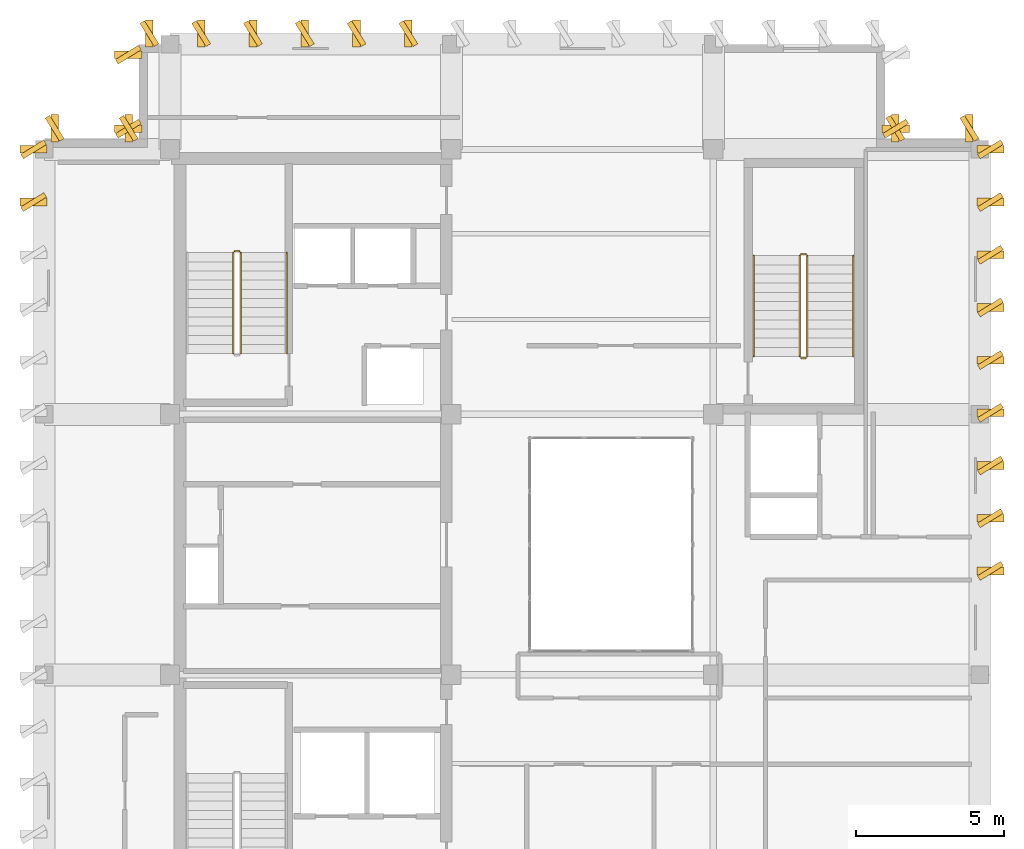
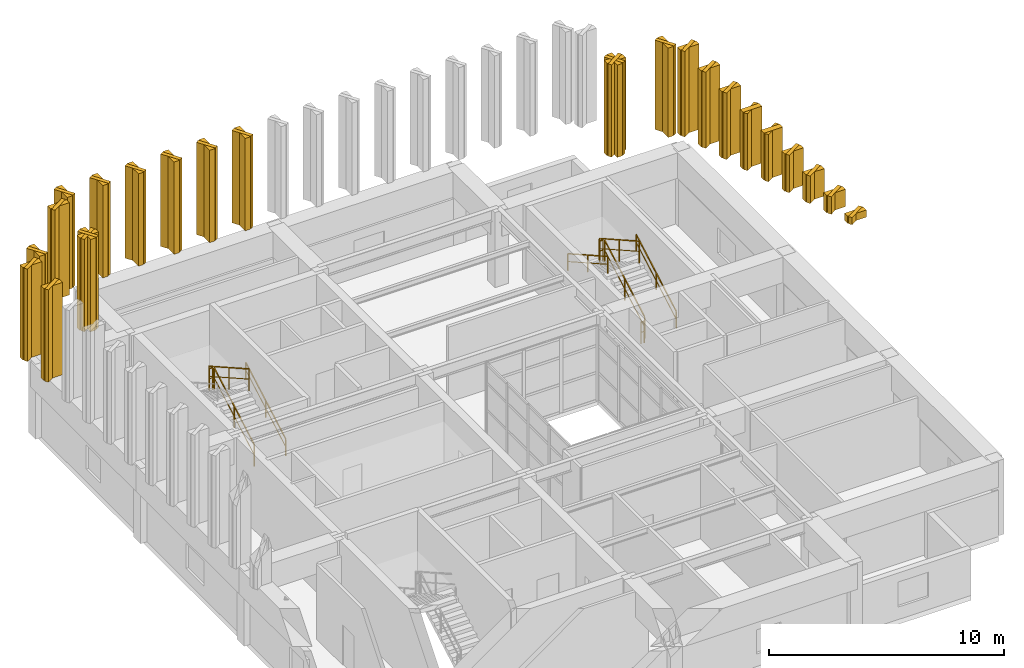
# One storey, part 10 of 11: 24 coverings, 24 shading devices, 10 railings.
"""IFC4 building model written with IfcOpenShell, lengths in metres."""

from ifc_helpers import new_model, si_unit, direction, frame, origin, origin_2d, place, context, subcontext, project, spatial, polyline, rectangle, outline, extrude, material, layer, layer_set, type_object, element, save


model = new_model("IFC4")

# Units and contexts
model_context = context("Model", 3, precision=1e-05, world=origin(), true_north=direction((0.0, 1.0)))
body_context = subcontext(model_context, "Body", "Model", "MODEL_VIEW")
ifc_project = project(units=[si_unit("LENGTHUNIT", "METRE"), si_unit("AREAUNIT", "SQUARE_METRE"), si_unit("VOLUMEUNIT", "CUBIC_METRE"), si_unit("PLANEANGLEUNIT", "RADIAN"), si_unit("MASSUNIT", "GRAM", prefix="KILO")], contexts=[model_context])

# Site, building, storey
site_placement = place(None, origin())
site = spatial("IfcSite", under=ifc_project, at=site_placement, CompositionType="ELEMENT")
building_placement = place(site_placement, origin())
building = spatial("IfcBuilding", under=site, at=building_placement, Name="Kundavana Baori Tower", CompositionType="ELEMENT")
storey_placement = place(building_placement, frame((0.0, 0.0, 350.5)))
storey = spatial("IfcBuildingStorey", under=building, at=storey_placement, Name="L87", CompositionType="ELEMENT", Elevation=350.5)

# Coverings
ifc_material_1 = material(Name="Cream-White Makrana Limestone on Concrete C40/50", Category="masonry")
ifc_layer = layer(ifc_material_1, 0.239990234375, Name="COV-SAIL-FIN")
ifc_layer_set = layer_set([ifc_layer], Name="Cream-White Makrana Limestone on Concrete C40/50")
covering_type = type_object("IfcCoveringType", Name="COV-SAIL-FIN", PredefinedType="CLADDING", material=ifc_layer_set)
covering_1_placement = place(storey_placement, frame((0.0, 0.0, 8.626708984375)))
element("IfcCovering", 1, at=covering_1_placement, inside=storey, type_object=covering_type, Name="L87 Climbing Makrana White Limestone Sail Fin 027", PredefinedType="CLADDING", context=body_context, shape_type="SweptSolid", body=[
    extrude(outline(polyline([(42.699951171875, 27.580078125), (43.6201171875, 27.580078125), (43.6201171875, 27.840087890625), (42.699951171875, 27.840087890625), (42.699951171875, 27.580078125)])), origin(), (0.0, 0.0, 1.0), 0.373291015625),
])
covering_2_placement = place(storey_placement, frame((0.0, 0.0, 8.094970703125)))
element("IfcCovering", 2, at=covering_2_placement, inside=storey, type_object=covering_type, Name="L87 Climbing Makrana White Limestone Sail Fin 028", PredefinedType="CLADDING", context=body_context, shape_type="SweptSolid", body=[
    extrude(outline(polyline([(42.699951171875, 29.360107421875), (43.6201171875, 29.360107421875), (43.6201171875, 29.6201171875), (42.699951171875, 29.6201171875), (42.699951171875, 29.360107421875)])), origin(), (0.0, 0.0, 1.0), 0.905029296875),
])
covering_3_placement = place(storey_placement, frame((0.0, 0.0, 7.57080078125)))
element("IfcCovering", 3, at=covering_3_placement, inside=storey, type_object=covering_type, Name="L87 Climbing Makrana White Limestone Sail Fin 029", PredefinedType="CLADDING", context=body_context, shape_type="SweptSolid", body=[
    extrude(outline(polyline([(42.699951171875, 31.139892578125), (43.6201171875, 31.139892578125), (43.6201171875, 31.39990234375), (42.699951171875, 31.39990234375), (42.699951171875, 31.139892578125)])), origin(), (0.0, 0.0, 1.0), 1.42919921875),
])
covering_4_placement = place(storey_placement, frame((0.0, 0.0, 7.05419921875)))
element("IfcCovering", 4, at=covering_4_placement, inside=storey, type_object=covering_type, Name="L87 Climbing Makrana White Limestone Sail Fin 030", PredefinedType="CLADDING", context=body_context, shape_type="SweptSolid", body=[
    extrude(outline(polyline([(42.699951171875, 32.919921875), (43.6201171875, 32.919921875), (43.6201171875, 33.179931640625), (42.699951171875, 33.179931640625), (42.699951171875, 32.919921875)])), origin(), (0.0, 0.0, 1.0), 1.94580078125),
])
covering_5_placement = place(storey_placement, frame((0.0, 0.0, 6.543701171875)))
element("IfcCovering", 5, at=covering_5_placement, inside=storey, type_object=covering_type, Name="L87 Climbing Makrana White Limestone Sail Fin 031", PredefinedType="CLADDING", context=body_context, shape_type="SweptSolid", body=[
    extrude(outline(polyline([(42.699951171875, 34.699951171875), (43.6201171875, 34.699951171875), (43.6201171875, 34.9599609375), (42.699951171875, 34.9599609375), (42.699951171875, 34.699951171875)])), origin(), (0.0, 0.0, 1.0), 2.456298828125),
])
covering_6_placement = place(storey_placement, frame((0.0, 0.0, 6.039306640625)))
element("IfcCovering", 6, at=covering_6_placement, inside=storey, type_object=covering_type, Name="L87 Climbing Makrana White Limestone Sail Fin 032", PredefinedType="CLADDING", context=body_context, shape_type="SweptSolid", body=[
    extrude(outline(polyline([(42.699951171875, 36.47998046875), (43.6201171875, 36.47998046875), (43.6201171875, 36.739990234375), (42.699951171875, 36.739990234375), (42.699951171875, 36.47998046875)])), origin(), (0.0, 0.0, 1.0), 2.960693359375),
])
covering_7_placement = place(storey_placement, frame((0.0, 0.0, 5.5400390625)))
element("IfcCovering", 7, at=covering_7_placement, inside=storey, type_object=covering_type, Name="L87 Climbing Makrana White Limestone Sail Fin 033", PredefinedType="CLADDING", context=body_context, shape_type="SweptSolid", body=[
    extrude(outline(polyline([(42.699951171875, 38.260009765625), (43.6201171875, 38.260009765625), (43.6201171875, 38.52001953125), (42.699951171875, 38.52001953125), (42.699951171875, 38.260009765625)])), origin(), (0.0, 0.0, 1.0), 3.4599609375),
])
covering_8_placement = place(storey_placement, frame((0.0, 0.0, 5.0458984375)))
element("IfcCovering", 8, at=covering_8_placement, inside=storey, type_object=covering_type, Name="L87 Climbing Makrana White Limestone Sail Fin 034", PredefinedType="CLADDING", context=body_context, shape_type="SweptSolid", body=[
    extrude(outline(polyline([(42.699951171875, 40.0400390625), (43.6201171875, 40.0400390625), (43.6201171875, 40.300048828125), (42.699951171875, 40.300048828125), (42.699951171875, 40.0400390625)])), origin(), (0.0, 0.0, 1.0), 3.9541015625),
])
covering_9_placement = place(storey_placement, frame((0.0, 0.0, 4.556396484375)))
element("IfcCovering", 9, at=covering_9_placement, inside=storey, type_object=covering_type, Name="L87 Climbing Makrana White Limestone Sail Fin 035", PredefinedType="CLADDING", context=body_context, shape_type="SweptSolid", body=[
    extrude(outline(polyline([(42.699951171875, 41.820068359375), (43.6201171875, 41.820068359375), (43.6201171875, 42.080078125), (42.699951171875, 42.080078125), (42.699951171875, 41.820068359375)])), origin(), (0.0, 0.0, 1.0), 4.443603515625),
])
covering_10_placement = place(storey_placement, frame((0.0, 0.0, 4.3583984375)))
element("IfcCovering", 10, at=covering_10_placement, inside=storey, type_object=covering_type, Name="L87 Climbing Makrana White Limestone Sail Fin 036", PredefinedType="CLADDING", context=body_context, shape_type="SweptSolid", body=[
    extrude(outline(polyline([(42.320068359375, 42.199951171875), (42.580078125, 42.199951171875), (42.580078125, 43.1201171875), (42.320068359375, 43.1201171875), (42.320068359375, 42.199951171875)])), origin(), (0.0, 0.0, 1.0), 4.6416015625),
])
covering_11_placement = place(storey_placement, frame((0.0, 0.0, 4.199951171875)))
element("IfcCovering", 11, at=covering_11_placement, inside=storey, type_object=covering_type, Name="L87 Climbing Makrana White Limestone Sail Fin 037", PredefinedType="CLADDING", context=body_context, shape_type="SweptSolid", body=[
    extrude(outline(polyline([(39.820068359375, 42.199951171875), (40.080078125, 42.199951171875), (40.080078125, 43.1201171875), (39.820068359375, 43.1201171875), (39.820068359375, 42.199951171875)])), origin(), (0.0, 0.0, 1.0), 4.800048828125),
])
covering_12_placement = place(storey_placement, frame((0.0, 0.0, 4.199951171875)))
element("IfcCovering", 12, at=covering_12_placement, inside=storey, type_object=covering_type, Name="L87 Climbing Makrana White Limestone Sail Fin 038", PredefinedType="CLADDING", context=body_context, shape_type="SweptSolid", body=[
    extrude(outline(polyline([(39.5, 42.52001953125), (40.419921875, 42.52001953125), (40.419921875, 42.780029296875), (39.5, 42.780029296875), (39.5, 42.52001953125)])), origin(), (0.0, 0.0, 1.0), 4.800048828125),
])
covering_13_placement = place(storey_placement, frame((0.0, 0.0, 4.199951171875)))
element("IfcCovering", 13, at=covering_13_placement, inside=storey, type_object=covering_type, Name="L87 Climbing Makrana White Limestone Sail Fin 049", PredefinedType="CLADDING", context=body_context, shape_type="SweptSolid", body=[
    extrude(outline(polyline([(23.3701171875, 45.39990234375), (23.6298828125, 45.39990234375), (23.6298828125, 46.320068359375), (23.3701171875, 46.320068359375), (23.3701171875, 45.39990234375)])), origin(), (0.0, 0.0, 1.0), 4.800048828125),
])
covering_14_placement = place(storey_placement, frame((0.0, 0.0, 4.199951171875)))
element("IfcCovering", 14, at=covering_14_placement, inside=storey, type_object=covering_type, Name="L87 Climbing Makrana White Limestone Sail Fin 050", PredefinedType="CLADDING", context=body_context, shape_type="SweptSolid", body=[
    extrude(outline(polyline([(21.6201171875, 45.39990234375), (21.8798828125, 45.39990234375), (21.8798828125, 46.320068359375), (21.6201171875, 46.320068359375), (21.6201171875, 45.39990234375)])), origin(), (0.0, 0.0, 1.0), 4.800048828125),
])
covering_15_placement = place(storey_placement, frame((0.0, 0.0, 4.199951171875)))
element("IfcCovering", 15, at=covering_15_placement, inside=storey, type_object=covering_type, Name="L87 Climbing Makrana White Limestone Sail Fin 051", PredefinedType="CLADDING", context=body_context, shape_type="SweptSolid", body=[
    extrude(outline(polyline([(19.8701171875, 45.39990234375), (20.1298828125, 45.39990234375), (20.1298828125, 46.320068359375), (19.8701171875, 46.320068359375), (19.8701171875, 45.39990234375)])), origin(), (0.0, 0.0, 1.0), 4.800048828125),
])
covering_16_placement = place(storey_placement, frame((0.0, 0.0, 4.199951171875)))
element("IfcCovering", 16, at=covering_16_placement, inside=storey, type_object=covering_type, Name="L87 Climbing Makrana White Limestone Sail Fin 052", PredefinedType="CLADDING", context=body_context, shape_type="SweptSolid", body=[
    extrude(outline(polyline([(18.1201171875, 45.39990234375), (18.3798828125, 45.39990234375), (18.3798828125, 46.320068359375), (18.1201171875, 46.320068359375), (18.1201171875, 45.39990234375)])), origin(), (0.0, 0.0, 1.0), 4.800048828125),
])
covering_17_placement = place(storey_placement, frame((0.0, 0.0, 4.199951171875)))
element("IfcCovering", 17, at=covering_17_placement, inside=storey, type_object=covering_type, Name="L87 Climbing Makrana White Limestone Sail Fin 053", PredefinedType="CLADDING", context=body_context, shape_type="SweptSolid", body=[
    extrude(outline(polyline([(16.3701171875, 45.39990234375), (16.6298828125, 45.39990234375), (16.6298828125, 46.320068359375), (16.3701171875, 46.320068359375), (16.3701171875, 45.39990234375)])), origin(), (0.0, 0.0, 1.0), 4.800048828125),
])
covering_18_placement = place(storey_placement, frame((0.0, 0.0, 4.199951171875)))
element("IfcCovering", 18, at=covering_18_placement, inside=storey, type_object=covering_type, Name="L87 Climbing Makrana White Limestone Sail Fin 054", PredefinedType="CLADDING", context=body_context, shape_type="SweptSolid", body=[
    extrude(outline(polyline([(14.6201171875, 45.39990234375), (14.8798828125, 45.39990234375), (14.8798828125, 46.320068359375), (14.6201171875, 46.320068359375), (14.6201171875, 45.39990234375)])), origin(), (0.0, 0.0, 1.0), 4.800048828125),
])
covering_19_placement = place(storey_placement, frame((0.0, 0.0, 4.199951171875)))
element("IfcCovering", 19, at=covering_19_placement, inside=storey, type_object=covering_type, Name="L87 Climbing Makrana White Limestone Sail Fin 055", PredefinedType="CLADDING", context=body_context, shape_type="SweptSolid", body=[
    extrude(outline(polyline([(13.580078125, 45.02001953125), (14.5, 45.02001953125), (14.5, 45.280029296875), (13.580078125, 45.280029296875), (13.580078125, 45.02001953125)])), origin(), (0.0, 0.0, 1.0), 4.800048828125),
])
covering_20_placement = place(storey_placement, frame((0.0, 0.0, 4.199951171875)))
element("IfcCovering", 20, at=covering_20_placement, inside=storey, type_object=covering_type, Name="L87 Climbing Makrana White Limestone Sail Fin 056", PredefinedType="CLADDING", context=body_context, shape_type="SweptSolid", body=[
    extrude(outline(polyline([(13.580078125, 42.52001953125), (14.5, 42.52001953125), (14.5, 42.780029296875), (13.580078125, 42.780029296875), (13.580078125, 42.52001953125)])), origin(), (0.0, 0.0, 1.0), 4.800048828125),
])
covering_21_placement = place(storey_placement, frame((0.0, 0.0, 4.199951171875)))
element("IfcCovering", 21, at=covering_21_placement, inside=storey, type_object=covering_type, Name="L87 Climbing Makrana White Limestone Sail Fin 057", PredefinedType="CLADDING", context=body_context, shape_type="SweptSolid", body=[
    extrude(outline(polyline([(13.919921875, 42.199951171875), (14.179931640625, 42.199951171875), (14.179931640625, 43.1201171875), (13.919921875, 43.1201171875), (13.919921875, 42.199951171875)])), origin(), (0.0, 0.0, 1.0), 4.800048828125),
])
covering_22_placement = place(storey_placement, frame((0.0, 0.0, 4.199951171875)))
element("IfcCovering", 22, at=covering_22_placement, inside=storey, type_object=covering_type, Name="L87 Climbing Makrana White Limestone Sail Fin 058", PredefinedType="CLADDING", context=body_context, shape_type="SweptSolid", body=[
    extrude(outline(polyline([(11.419921875, 42.199951171875), (11.679931640625, 42.199951171875), (11.679931640625, 43.1201171875), (11.419921875, 43.1201171875), (11.419921875, 42.199951171875)])), origin(), (0.0, 0.0, 1.0), 4.800048828125),
])
covering_23_placement = place(storey_placement, frame((0.0, 0.0, 4.199951171875)))
element("IfcCovering", 23, at=covering_23_placement, inside=storey, type_object=covering_type, Name="L87 Climbing Makrana White Limestone Sail Fin 059", PredefinedType="CLADDING", context=body_context, shape_type="SweptSolid", body=[
    extrude(outline(polyline([(10.3798828125, 41.820068359375), (11.300048828125, 41.820068359375), (11.300048828125, 42.080078125), (10.3798828125, 42.080078125), (10.3798828125, 41.820068359375)])), origin(), (0.0, 0.0, 1.0), 4.800048828125),
])
covering_24_placement = place(storey_placement, frame((0.0, 0.0, 4.199951171875)))
element("IfcCovering", 24, at=covering_24_placement, inside=storey, type_object=covering_type, Name="L87 Climbing Makrana White Limestone Sail Fin 060", PredefinedType="CLADDING", context=body_context, shape_type="SweptSolid", body=[
    extrude(outline(polyline([(10.3798828125, 40.0400390625), (11.300048828125, 40.0400390625), (11.300048828125, 40.300048828125), (10.3798828125, 40.300048828125), (10.3798828125, 40.0400390625)])), origin(), (0.0, 0.0, 1.0), 4.800048828125),
])

# Railings
ifc_material_2 = material(Name="Architectural Patinated Bronze Metalwork")
railing_type_1 = type_object("IfcRailingType", Name="RL-GRD-1150", PredefinedType="GUARDRAIL", material=ifc_material_2)
railing_1_placement = place(storey_placement, frame((17.840087890625, 35.050048828125, 0.175048828125)))
element("IfcRailing", 25, at=railing_1_placement, inside=storey, type_object=railing_type_1, Name="L87 ST2 stair guard 1", PredefinedType="GUARDRAIL", context=body_context, shape_type="SweptSolid", body=[
    extrude(rectangle(XDim=0.048095703125, YDim=0.048095703125, at=origin_2d()), frame((0.0, 0.0, 1.1259765625), z_axis=(0.0, 0.87081354652, 0.491613432685), x_axis=(-1.0, 0.0, 0.0)), (0.0, 0.0, 1.0), 3.915771484375),
    extrude(rectangle(XDim=0.03125, YDim=0.03125, at=origin_2d()), frame((0.0, 0.0, 0.597900390625), z_axis=(0.0, 0.87081354652, 0.491613432685), x_axis=(-1.0, 0.0, 0.0)), (0.0, 0.0, 1.0), 3.915771484375),
    extrude(rectangle(XDim=0.0419921875, YDim=0.0419921875, at=origin_2d()), origin(), (0.0, 0.0, 1.0), 1.101806640625),
    extrude(rectangle(XDim=0.0419921875, YDim=0.0419921875, at=origin_2d()), frame((0.0, 1.705078125, 0.96240234375)), (0.0, 0.0, 1.0), 1.101806640625),
    extrude(rectangle(XDim=0.0419921875, YDim=0.0419921875, at=origin_2d()), frame((0.0, 3.409912109375, 1.925048828125)), (0.0, 0.0, 1.0), 1.101806640625),
])
railing_2_placement = place(storey_placement, frame((17.7900390625, 38.510009765625, 2.10009765625)))
element("IfcRailing", 26, at=railing_2_placement, inside=storey, type_object=railing_type_1, Name="L87 ST2 stair guard 2", PredefinedType="GUARDRAIL", context=body_context, shape_type="SweptSolid", body=[
    extrude(rectangle(XDim=0.048095703125, YDim=0.048095703125, at=origin_2d()), frame((0.0, 0.0, 1.1259765625), z_axis=(-1.0, 0.0, 0.0), x_axis=(0.0, -1.0, 0.0)), (0.0, 0.0, 1.0), 0.16015625),
    extrude(rectangle(XDim=0.03125, YDim=0.03125, at=origin_2d()), frame((0.0, 0.0, 0.597900390625), z_axis=(-1.0, 0.0, 0.0), x_axis=(0.0, -1.0, 0.0)), (0.0, 0.0, 1.0), 0.16015625),
    extrude(rectangle(XDim=0.0419921875, YDim=0.0419921875, at=origin_2d()), origin(), (0.0, 0.0, 1.0), 1.101806640625),
    extrude(rectangle(XDim=0.0419921875, YDim=0.0419921875, at=origin_2d()), frame((-0.16015625, 0.0, 0.0)), (0.0, 0.0, 1.0), 1.101806640625),
])
railing_3_placement = place(storey_placement, frame((17.580078125, 38.4599609375, 2.27490234375)))
element("IfcRailing", 27, at=railing_3_placement, inside=storey, type_object=railing_type_1, Name="L87 ST2 stair guard 3", PredefinedType="GUARDRAIL", context=body_context, shape_type="SweptSolid", body=[
    extrude(rectangle(XDim=0.048095703125, YDim=0.048095703125, at=origin_2d()), frame((0.0, 0.0, 1.1259765625), z_axis=(0.0, -0.87081354652, 0.491613432685), x_axis=(1.0, 0.0, 0.0)), (0.0, 0.0, 1.0), 3.915771484375),
    extrude(rectangle(XDim=0.03125, YDim=0.03125, at=origin_2d()), frame((0.0, 0.0, 0.597900390625), z_axis=(0.0, -0.87081354652, 0.491613432685), x_axis=(1.0, 0.0, 0.0)), (0.0, 0.0, 1.0), 3.915771484375),
    extrude(rectangle(XDim=0.0419921875, YDim=0.0419921875, at=origin_2d()), origin(), (0.0, 0.0, 1.0), 1.101806640625),
    extrude(rectangle(XDim=0.0419921875, YDim=0.0419921875, at=origin_2d()), frame((0.0, -1.705078125, 0.96240234375)), (0.0, 0.0, 1.0), 1.101806640625),
    extrude(rectangle(XDim=0.0419921875, YDim=0.0419921875, at=origin_2d()), frame((0.0, -3.409912109375, 1.925048828125)), (0.0, 0.0, 1.0), 1.101806640625),
])
railing_4_placement = place(storey_placement, frame((36.97998046875, 34.949951171875, 0.175048828125)))
element("IfcRailing", 28, at=railing_4_placement, inside=storey, type_object=railing_type_1, Name="L87 ST3 stair guard 1", PredefinedType="GUARDRAIL", context=body_context, shape_type="SweptSolid", body=[
    extrude(rectangle(XDim=0.048095703125, YDim=0.048095703125, at=origin_2d()), frame((0.0, 0.0, 1.1259765625), z_axis=(0.0, 0.870828613776, 0.491586742528), x_axis=(-1.0, 0.0, 0.0)), (0.0, 0.0, 1.0), 3.916015625),
    extrude(rectangle(XDim=0.03125, YDim=0.03125, at=origin_2d()), frame((0.0, 0.0, 0.597900390625), z_axis=(0.0, 0.870828613776, 0.491586742528), x_axis=(-1.0, 0.0, 0.0)), (0.0, 0.0, 1.0), 3.916015625),
    extrude(rectangle(XDim=0.0419921875, YDim=0.0419921875, at=origin_2d()), origin(), (0.0, 0.0, 1.0), 1.101806640625),
    extrude(rectangle(XDim=0.0419921875, YDim=0.0419921875, at=origin_2d()), frame((0.0, 1.705078125, 0.96240234375)), (0.0, 0.0, 1.0), 1.101806640625),
    extrude(rectangle(XDim=0.0419921875, YDim=0.0419921875, at=origin_2d()), frame((0.0, 3.41015625, 1.925048828125)), (0.0, 0.0, 1.0), 1.101806640625),
])
railing_5_placement = place(storey_placement, frame((36.929931640625, 38.409912109375, 2.10009765625)))
element("IfcRailing", 29, at=railing_5_placement, inside=storey, type_object=railing_type_1, Name="L87 ST3 stair guard 2", PredefinedType="GUARDRAIL", context=body_context, shape_type="SweptSolid", body=[
    extrude(rectangle(XDim=0.048095703125, YDim=0.048095703125, at=origin_2d()), frame((0.0, 0.0, 1.1259765625), z_axis=(-1.0, 0.0, 0.0), x_axis=(0.0, -1.0, 0.0)), (0.0, 0.0, 1.0), 0.159912109375),
    extrude(rectangle(XDim=0.03125, YDim=0.03125, at=origin_2d()), frame((0.0, 0.0, 0.597900390625), z_axis=(-1.0, 0.0, 0.0), x_axis=(0.0, -1.0, 0.0)), (0.0, 0.0, 1.0), 0.159912109375),
    extrude(rectangle(XDim=0.0419921875, YDim=0.0419921875, at=origin_2d()), origin(), (0.0, 0.0, 1.0), 1.101806640625),
    extrude(rectangle(XDim=0.0419921875, YDim=0.0419921875, at=origin_2d()), frame((-0.159912109375, 0.0, 0.0)), (0.0, 0.0, 1.0), 1.101806640625),
])
railing_6_placement = place(storey_placement, frame((36.719970703125, 38.360107421875, 2.27490234375)))
element("IfcRailing", 30, at=railing_6_placement, inside=storey, type_object=railing_type_1, Name="L87 ST3 stair guard 3", PredefinedType="GUARDRAIL", context=body_context, shape_type="SweptSolid", body=[
    extrude(rectangle(XDim=0.048095703125, YDim=0.048095703125, at=origin_2d()), frame((0.0, 0.0, 1.1259765625), z_axis=(0.0, -0.870828613776, 0.491586742528), x_axis=(1.0, 0.0, 0.0)), (0.0, 0.0, 1.0), 3.916015625),
    extrude(rectangle(XDim=0.03125, YDim=0.03125, at=origin_2d()), frame((0.0, 0.0, 0.597900390625), z_axis=(0.0, -0.870828613776, 0.491586742528), x_axis=(1.0, 0.0, 0.0)), (0.0, 0.0, 1.0), 3.916015625),
    extrude(rectangle(XDim=0.0419921875, YDim=0.0419921875, at=origin_2d()), origin(), (0.0, 0.0, 1.0), 1.101806640625),
    extrude(rectangle(XDim=0.0419921875, YDim=0.0419921875, at=origin_2d()), frame((0.0, -1.705078125, 0.96240234375)), (0.0, 0.0, 1.0), 1.101806640625),
    extrude(rectangle(XDim=0.0419921875, YDim=0.0419921875, at=origin_2d()), frame((0.0, -3.41015625, 1.925048828125)), (0.0, 0.0, 1.0), 1.101806640625),
])
railing_7_placement = place(storey_placement, frame((36.929931640625, 34.89990234375, 0.0)))
element("IfcRailing", 31, at=railing_7_placement, inside=storey, type_object=railing_type_1, Name="L87 ST3 stair guard 4", PredefinedType="GUARDRAIL", context=body_context, shape_type="SweptSolid", body=[
    extrude(rectangle(XDim=0.048095703125, YDim=0.048095703125, at=origin_2d()), frame((0.0, 0.0, 1.1259765625), z_axis=(-1.0, 0.0, 0.0), x_axis=(0.0, -1.0, 0.0)), (0.0, 0.0, 1.0), 0.159912109375),
    extrude(rectangle(XDim=0.03125, YDim=0.03125, at=origin_2d()), frame((0.0, 0.0, 0.597900390625), z_axis=(-1.0, 0.0, 0.0), x_axis=(0.0, -1.0, 0.0)), (0.0, 0.0, 1.0), 0.159912109375),
    extrude(rectangle(XDim=0.0419921875, YDim=0.0419921875, at=origin_2d()), origin(), (0.0, 0.0, 1.0), 1.101806640625),
    extrude(rectangle(XDim=0.0419921875, YDim=0.0419921875, at=origin_2d()), frame((-0.159912109375, 0.0, 0.0)), (0.0, 0.0, 1.0), 1.101806640625),
])
ifc_material_3 = material(Name="Architectural Patinated Bronze Metalwork")
railing_type_2 = type_object("IfcRailingType", Name="RL-HND-920", PredefinedType="HANDRAIL", material=ifc_material_3)
railing_8_placement = place(storey_placement, frame((19.389892578125, 35.050048828125, 0.175048828125)))
element("IfcRailing", 32, at=railing_8_placement, inside=storey, type_object=railing_type_2, Name="L87 ST2 stair handrail 1", PredefinedType="HANDRAIL", context=body_context, shape_type="SweptSolid", body=[
    extrude(rectangle(XDim=0.048095703125, YDim=0.048095703125, at=origin_2d()), frame((0.0, 0.0, 0.8759765625), z_axis=(0.0, 0.87081354652, 0.491613432685), x_axis=(-1.0, 0.0, 0.0)), (0.0, 0.0, 1.0), 3.915771484375),
    extrude(rectangle(XDim=0.03125, YDim=0.03125, at=origin_2d()), frame((0.0, 0.0, 0.468017578125), z_axis=(0.0, 0.87081354652, 0.491613432685), x_axis=(-1.0, 0.0, 0.0)), (0.0, 0.0, 1.0), 3.915771484375),
    extrude(rectangle(XDim=0.0419921875, YDim=0.0419921875, at=origin_2d()), origin(), (0.0, 0.0, 1.0), 0.851806640625),
    extrude(rectangle(XDim=0.0419921875, YDim=0.0419921875, at=origin_2d()), frame((0.0, 1.705078125, 0.96240234375)), (0.0, 0.0, 1.0), 0.851806640625),
    extrude(rectangle(XDim=0.0419921875, YDim=0.0419921875, at=origin_2d()), frame((0.0, 3.409912109375, 1.925048828125)), (0.0, 0.0, 1.0), 0.851806640625),
])
railing_9_placement = place(storey_placement, frame((38.530029296875, 34.949951171875, 0.175048828125)))
element("IfcRailing", 33, at=railing_9_placement, inside=storey, type_object=railing_type_2, Name="L87 ST3 stair handrail 1", PredefinedType="HANDRAIL", context=body_context, shape_type="SweptSolid", body=[
    extrude(rectangle(XDim=0.048095703125, YDim=0.048095703125, at=origin_2d()), frame((0.0, 0.0, 0.8759765625), z_axis=(0.0, 0.870828613776, 0.491586742528), x_axis=(-1.0, 0.0, 0.0)), (0.0, 0.0, 1.0), 3.916015625),
    extrude(rectangle(XDim=0.03125, YDim=0.03125, at=origin_2d()), frame((0.0, 0.0, 0.468017578125), z_axis=(0.0, 0.870828613776, 0.491586742528), x_axis=(-1.0, 0.0, 0.0)), (0.0, 0.0, 1.0), 3.916015625),
    extrude(rectangle(XDim=0.0419921875, YDim=0.0419921875, at=origin_2d()), origin(), (0.0, 0.0, 1.0), 0.851806640625),
    extrude(rectangle(XDim=0.0419921875, YDim=0.0419921875, at=origin_2d()), frame((0.0, 1.705078125, 0.96240234375)), (0.0, 0.0, 1.0), 0.851806640625),
    extrude(rectangle(XDim=0.0419921875, YDim=0.0419921875, at=origin_2d()), frame((0.0, 3.41015625, 1.925048828125)), (0.0, 0.0, 1.0), 0.851806640625),
])
railing_10_placement = place(storey_placement, frame((35.169921875, 38.360107421875, 2.27490234375)))
element("IfcRailing", 34, at=railing_10_placement, inside=storey, type_object=railing_type_2, Name="L87 ST3 stair handrail 2", PredefinedType="HANDRAIL", context=body_context, shape_type="SweptSolid", body=[
    extrude(rectangle(XDim=0.048095703125, YDim=0.048095703125, at=origin_2d()), frame((0.0, 0.0, 0.8759765625), z_axis=(0.0, -0.870828613776, 0.491586742528), x_axis=(1.0, 0.0, 0.0)), (0.0, 0.0, 1.0), 3.916015625),
    extrude(rectangle(XDim=0.03125, YDim=0.03125, at=origin_2d()), frame((0.0, 0.0, 0.468017578125), z_axis=(0.0, -0.870828613776, 0.491586742528), x_axis=(1.0, 0.0, 0.0)), (0.0, 0.0, 1.0), 3.916015625),
    extrude(rectangle(XDim=0.0419921875, YDim=0.0419921875, at=origin_2d()), origin(), (0.0, 0.0, 1.0), 0.851806640625),
    extrude(rectangle(XDim=0.0419921875, YDim=0.0419921875, at=origin_2d()), frame((0.0, -1.705078125, 0.96240234375)), (0.0, 0.0, 1.0), 0.851806640625),
    extrude(rectangle(XDim=0.0419921875, YDim=0.0419921875, at=origin_2d()), frame((0.0, -3.41015625, 1.925048828125)), (0.0, 0.0, 1.0), 0.851806640625),
])

# Shading devices
ifc_material_4 = material(Name="Red-Buff Dholpur Sandstone Cladding on Concrete C40/50", Category="masonry")
shading_device_type = type_object("IfcShadingDeviceType", Name="SHD-FIN-920", PredefinedType="JALOUSIE", material=ifc_material_4)
shading_device_1_placement = place(storey_placement, frame((43.159912109375, 27.7099609375, 8.626953125), z_axis=(0.0, 0.0, 1.0), x_axis=(-0.529919264233, 0.848048096156, 0.0)))
element("IfcShadingDevice", 35, at=shading_device_1_placement, inside=storey, type_object=shading_device_type, Name="L87 Sweeping Makrana Limestone Crown Sail Blade 027", PredefinedType="JALOUSIE", context=body_context, shape_type="SweptSolid", body=[
    extrude(rectangle(XDim=0.179931640625, YDim=0.919921875, at=origin_2d()), origin(), (0.0, 0.0, 1.0), 0.373291015625),
])
shading_device_2_placement = place(storey_placement, frame((43.159912109375, 29.489990234375, 8.09521484375), z_axis=(0.0, 0.0, 1.0), x_axis=(-0.529919264233, 0.848048096156, 0.0)))
element("IfcShadingDevice", 36, at=shading_device_2_placement, inside=storey, type_object=shading_device_type, Name="L87 Sweeping Makrana Limestone Crown Sail Blade 028", PredefinedType="JALOUSIE", context=body_context, shape_type="SweptSolid", body=[
    extrude(rectangle(XDim=0.179931640625, YDim=0.919921875, at=origin_2d()), origin(), (0.0, 0.0, 1.0), 0.905029296875),
])
shading_device_3_placement = place(storey_placement, frame((43.159912109375, 31.27001953125, 7.57080078125), z_axis=(0.0, 0.0, 1.0), x_axis=(-0.529919264233, 0.848048096156, 0.0)))
element("IfcShadingDevice", 37, at=shading_device_3_placement, inside=storey, type_object=shading_device_type, Name="L87 Sweeping Makrana Limestone Crown Sail Blade 029", PredefinedType="JALOUSIE", context=body_context, shape_type="SweptSolid", body=[
    extrude(rectangle(XDim=0.179931640625, YDim=0.919921875, at=origin_2d()), origin(), (0.0, 0.0, 1.0), 1.42919921875),
])
shading_device_4_placement = place(storey_placement, frame((43.159912109375, 33.050048828125, 7.05419921875), z_axis=(0.0, 0.0, 1.0), x_axis=(-0.529919264233, 0.848048096156, 0.0)))
element("IfcShadingDevice", 38, at=shading_device_4_placement, inside=storey, type_object=shading_device_type, Name="L87 Sweeping Makrana Limestone Crown Sail Blade 030", PredefinedType="JALOUSIE", context=body_context, shape_type="SweptSolid", body=[
    extrude(rectangle(XDim=0.179931640625, YDim=0.919921875, at=origin_2d()), origin(), (0.0, 0.0, 1.0), 1.94580078125),
])
shading_device_5_placement = place(storey_placement, frame((43.159912109375, 34.830078125, 6.54345703125), z_axis=(0.0, 0.0, 1.0), x_axis=(-0.529919264233, 0.848048096156, 0.0)))
element("IfcShadingDevice", 39, at=shading_device_5_placement, inside=storey, type_object=shading_device_type, Name="L87 Sweeping Makrana Limestone Crown Sail Blade 031", PredefinedType="JALOUSIE", context=body_context, shape_type="SweptSolid", body=[
    extrude(rectangle(XDim=0.179931640625, YDim=0.919921875, at=origin_2d()), origin(), (0.0, 0.0, 1.0), 2.456298828125),
])
shading_device_6_placement = place(storey_placement, frame((43.159912109375, 36.610107421875, 6.0390625), z_axis=(0.0, 0.0, 1.0), x_axis=(-0.529919264233, 0.848048096156, 0.0)))
element("IfcShadingDevice", 40, at=shading_device_6_placement, inside=storey, type_object=shading_device_type, Name="L87 Sweeping Makrana Limestone Crown Sail Blade 032", PredefinedType="JALOUSIE", context=body_context, shape_type="SweptSolid", body=[
    extrude(rectangle(XDim=0.179931640625, YDim=0.919921875, at=origin_2d()), origin(), (0.0, 0.0, 1.0), 2.960693359375),
])
shading_device_7_placement = place(storey_placement, frame((43.159912109375, 38.389892578125, 5.5400390625), z_axis=(0.0, 0.0, 1.0), x_axis=(-0.529919264233, 0.848048096156, 0.0)))
element("IfcShadingDevice", 41, at=shading_device_7_placement, inside=storey, type_object=shading_device_type, Name="L87 Sweeping Makrana Limestone Crown Sail Blade 033", PredefinedType="JALOUSIE", context=body_context, shape_type="SweptSolid", body=[
    extrude(rectangle(XDim=0.179931640625, YDim=0.919921875, at=origin_2d()), origin(), (0.0, 0.0, 1.0), 3.4599609375),
])
shading_device_8_placement = place(storey_placement, frame((43.159912109375, 40.169921875, 5.0458984375), z_axis=(0.0, 0.0, 1.0), x_axis=(-0.529919264233, 0.848048096156, 0.0)))
element("IfcShadingDevice", 42, at=shading_device_8_placement, inside=storey, type_object=shading_device_type, Name="L87 Sweeping Makrana Limestone Crown Sail Blade 034", PredefinedType="JALOUSIE", context=body_context, shape_type="SweptSolid", body=[
    extrude(rectangle(XDim=0.179931640625, YDim=0.919921875, at=origin_2d()), origin(), (0.0, 0.0, 1.0), 3.9541015625),
])
shading_device_9_placement = place(storey_placement, frame((43.159912109375, 41.949951171875, 4.556640625), z_axis=(0.0, 0.0, 1.0), x_axis=(-0.529919264233, 0.848048096156, 0.0)))
element("IfcShadingDevice", 43, at=shading_device_9_placement, inside=storey, type_object=shading_device_type, Name="L87 Sweeping Makrana Limestone Crown Sail Blade 035", PredefinedType="JALOUSIE", context=body_context, shape_type="SweptSolid", body=[
    extrude(rectangle(XDim=0.179931640625, YDim=0.919921875, at=origin_2d()), origin(), (0.0, 0.0, 1.0), 4.443603515625),
])
shading_device_10_placement = place(storey_placement, frame((42.449951171875, 42.659912109375, 4.3583984375), z_axis=(0.0, 0.0, 1.0), x_axis=(0.848048096156, 0.529919264233, 0.0)))
element("IfcShadingDevice", 44, at=shading_device_10_placement, inside=storey, type_object=shading_device_type, Name="L87 Sweeping Makrana Limestone Crown Sail Blade 036", PredefinedType="JALOUSIE", context=body_context, shape_type="SweptSolid", body=[
    extrude(rectangle(XDim=0.179931640625, YDim=0.919921875, at=origin_2d()), origin(), (0.0, 0.0, 1.0), 4.6416015625),
])
for number, where, z_axis, x_axis, name in (
    (45, (39.949951171875, 42.659912109375, 4.2001953125), (0.0, 0.0, 1.0), (0.848048096156, 0.529919264233, 0.0), "L87 Sweeping Makrana Limestone Crown Sail Blade 037"),
    (46, (39.9599609375, 42.64990234375, 4.2001953125), (0.0, 0.0, 1.0), (-0.529919264233, 0.848048096156, 0.0), "L87 Sweeping Makrana Limestone Crown Sail Blade 038"),
    (47, (23.5, 45.860107421875, 4.2001953125), (0.0, 0.0, 1.0), (0.848048096156, 0.529919264233, 0.0), "L87 Sweeping Makrana Limestone Crown Sail Blade 049"),
    (48, (21.75, 45.860107421875, 4.2001953125), (0.0, 0.0, 1.0), (0.848048096156, 0.529919264233, 0.0), "L87 Sweeping Makrana Limestone Crown Sail Blade 050"),
    (49, (20.0, 45.860107421875, 4.2001953125), (0.0, 0.0, 1.0), (0.848048096156, 0.529919264233, 0.0), "L87 Sweeping Makrana Limestone Crown Sail Blade 051"),
    (50, (18.25, 45.860107421875, 4.2001953125), (0.0, 0.0, 1.0), (0.848048096156, 0.529919264233, 0.0), "L87 Sweeping Makrana Limestone Crown Sail Blade 052"),
    (51, (16.5, 45.860107421875, 4.2001953125), (0.0, 0.0, 1.0), (0.848048096156, 0.529919264233, 0.0), "L87 Sweeping Makrana Limestone Crown Sail Blade 053"),
    (52, (14.75, 45.860107421875, 4.2001953125), (0.0, 0.0, 1.0), (0.848048096156, 0.529919264233, 0.0), "L87 Sweeping Makrana Limestone Crown Sail Blade 054"),
    (53, (14.0400390625, 45.14990234375, 4.2001953125), (0.0, 0.0, 1.0), (-0.529919264233, 0.848048096156, 0.0), "L87 Sweeping Makrana Limestone Crown Sail Blade 055"),
    (54, (14.0400390625, 42.64990234375, 4.2001953125), (0.0, 0.0, 1.0), (-0.529919264233, 0.848048096156, 0.0), "L87 Sweeping Makrana Limestone Crown Sail Blade 056"),
    (55, (14.050048828125, 42.659912109375, 4.2001953125), (0.0, 0.0, 1.0), (0.848048096156, 0.529919264233, 0.0), "L87 Sweeping Makrana Limestone Crown Sail Blade 057"),
    (56, (11.550048828125, 42.659912109375, 4.2001953125), (0.0, 0.0, 1.0), (0.848048096156, 0.529919264233, 0.0), "L87 Sweeping Makrana Limestone Crown Sail Blade 058"),
    (57, (10.840087890625, 41.949951171875, 4.2001953125), (0.0, 0.0, 1.0), (-0.529919264233, 0.848048096156, 0.0), "L87 Sweeping Makrana Limestone Crown Sail Blade 059"),
    (58, (10.840087890625, 40.169921875, 4.2001953125), (0.0, 0.0, 1.0), (-0.529919264233, 0.848048096156, 0.0), "L87 Sweeping Makrana Limestone Crown Sail Blade 060"),
):
    element("IfcShadingDevice", number, at=place(storey_placement, frame(where, z_axis=z_axis, x_axis=x_axis)), inside=storey, type_object=shading_device_type, Name=name, PredefinedType="JALOUSIE", context=body_context, shape_type="SweptSolid", body=[
        extrude(rectangle(XDim=0.179931640625, YDim=0.919921875, at=origin_2d()), origin(), (0.0, 0.0, 1.0), 4.800048828125),
    ])

save(model, "model.ifc")
